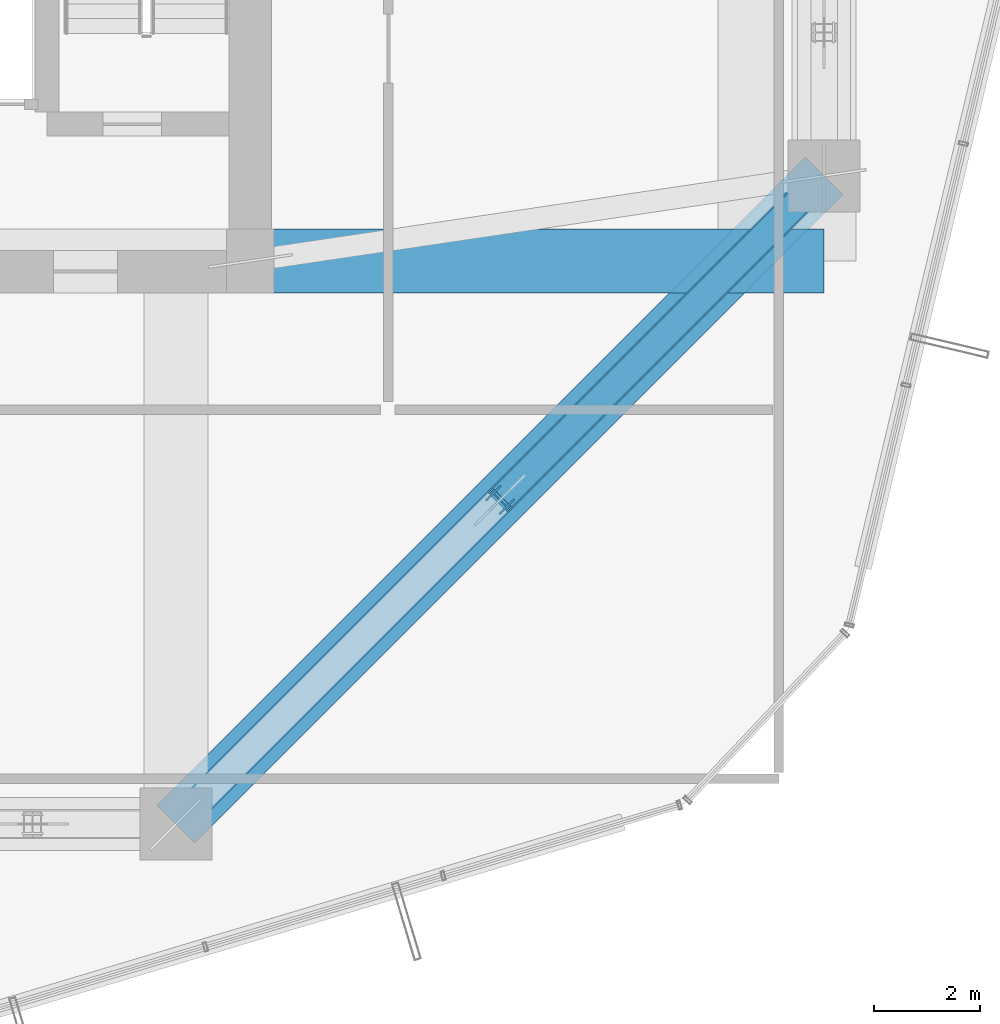
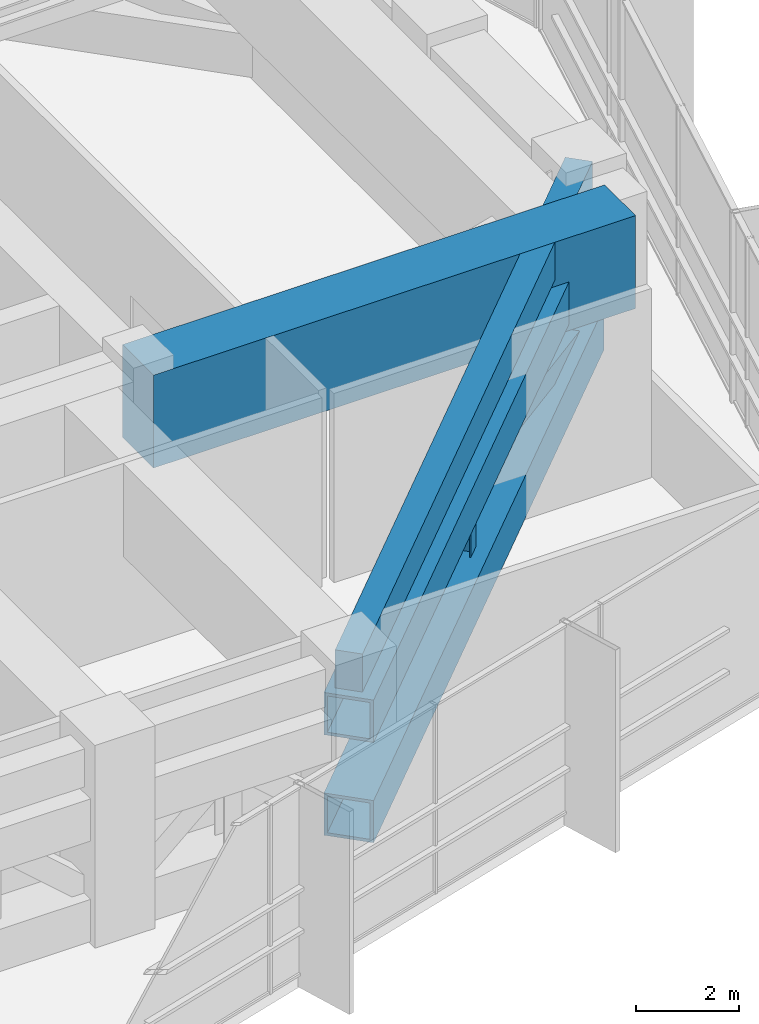
# One storey, part 15 of 41: 4 members, 2 beams.
"""IFC4 building model written with IfcOpenShell, lengths in metres."""

from ifc_helpers import new_model, si_unit, direction, frame, origin, origin_2d, place, context, subcontext, project, spatial, rectangle, hollow_rectangle, i_section, extrude, material, material_profile, profile_set, type_object, element, save


model = new_model("IFC4")

# Units and contexts
model_context = context("Model", 3, precision=1e-05, world=origin(), true_north=direction((0.0, 1.0)))
body_context = subcontext(model_context, "Body", "Model", "MODEL_VIEW")
ifc_project = project(units=[si_unit("LENGTHUNIT", "METRE"), si_unit("AREAUNIT", "SQUARE_METRE"), si_unit("VOLUMEUNIT", "CUBIC_METRE"), si_unit("PLANEANGLEUNIT", "RADIAN"), si_unit("MASSUNIT", "GRAM", prefix="KILO")], contexts=[model_context])

# Site, building, storey
site_placement = place(None, origin())
site = spatial("IfcSite", under=ifc_project, at=site_placement, CompositionType="ELEMENT")
building_placement = place(site_placement, origin())
building = spatial("IfcBuilding", under=site, at=building_placement, Name="Veraguas Prism Commons", CompositionType="ELEMENT")
storey_placement = place(building_placement, frame((0.0, 0.0, 80.35009765625)))
storey = spatial("IfcBuildingStorey", under=building, at=storey_placement, Name="L22", CompositionType="ELEMENT", Elevation=80.35009765625)

# Members
ifc_material_1 = material(Name="Steel ASTM A913 Grade 65", Category="steel")
ifc_material_profile_1 = material_profile(ifc_material_1, hollow_rectangle(XDim=1.0, YDim=1.0, WallThickness=0.070068359375, at=origin_2d()), Name="BOX1000X1000X70")
ifc_profile_set_1 = profile_set([ifc_material_profile_1], Name="Steel ASTM A913 Grade 65")
member_type_1 = type_object("IfcMemberType", Name="Belt Truss Chord L22 Box 1000x1000x70", PredefinedType="CHORD", material=ifc_profile_set_1)
for number, where, z_axis, x_axis, name in (
    (1, (29.39990234375, 6.39990234375, 0.5498046875), (0.707106781187, 0.707106781187, 0.0), (-0.707106781187, 0.707106781187, 0.0), "Perimeter Belt Truss Chord Bottom L22-12"),
    (2, (29.39990234375, 6.39990234375, 2.929931640625), (0.707106781187, 0.707106781187, 0.0), (-0.707106781187, 0.707106781187, 0.0), "Perimeter Belt Truss Chord Top L22-12"),
):
    element("IfcMember", number, at=place(storey_placement, frame(where, z_axis=z_axis, x_axis=x_axis)), inside=storey, type_object=member_type_1, Name=name, PredefinedType="CHORD", context=body_context, shape_type="SweptSolid", body=[
        extrude(hollow_rectangle(XDim=1.0, YDim=1.0, WallThickness=0.070068359375, at=origin_2d()), origin(), (0.0, 0.0, 1.0), 17.253662109375),
    ])
ifc_material_2 = material(Name="Steel ASTM A992 Grade 50", Category="steel")
ifc_material_profile_2 = material_profile(ifc_material_2, i_section(OverallWidth=0.39794921875, OverallDepth=0.386962890625, WebThickness=0.01904296875, FlangeThickness=0.0302734375, at=origin_2d()), Name="W360X262")
ifc_profile_set_2 = profile_set([ifc_material_profile_2], Name="Steel ASTM A992 Grade 50")
member_type_2 = type_object("IfcMemberType", Name="Belt Truss Vertical Strut W360x262", PredefinedType="STRUT", material=ifc_profile_set_2)
member_1_placement = place(storey_placement, frame((35.5, 12.5, 0.5498046875), z_axis=(0.0, 0.0, 1.0), x_axis=(0.707106781187, 0.707106781187, 0.0)))
element("IfcMember", 3, at=member_1_placement, inside=storey, type_object=member_type_2, Name="Perimeter Belt Truss Strut L22-12", PredefinedType="STRUT", context=body_context, shape_type="SweptSolid", body=[
    extrude(i_section(OverallWidth=0.39794921875, OverallDepth=0.386962890625, WebThickness=0.01904296875, FlangeThickness=0.0302734375, at=origin_2d()), origin(), (0.0, 0.0, 1.0), 2.380126953125),
])
ifc_material_3 = material(Name="Steel ASTM A572 Grade 50", Category="steel")
ifc_material_profile_3 = material_profile(ifc_material_3, hollow_rectangle(XDim=0.5, YDim=0.5, WallThickness=0.02490234375, at=origin_2d()), Name="BOX500X500X25")
ifc_profile_set_3 = profile_set([ifc_material_profile_3], Name="Steel ASTM A572 Grade 50")
member_type_3 = type_object("IfcMemberType", Name="Perimeter Belt Diagonal BOX 500x500x25", PredefinedType="BRACE", material=ifc_profile_set_3)
member_2_placement = place(storey_placement, frame((41.60009765625, 18.60009765625, 0.5498046875), z_axis=(-0.681639462261, -0.681639462261, 0.265961062898), x_axis=(0.707106781187, -0.707106781187, 0.0)))
element("IfcMember", 4, at=member_2_placement, inside=storey, type_object=member_type_3, Name="Perimeter Belt Truss Brace L22-12B", PredefinedType="BRACE", context=body_context, shape_type="SweptSolid", body=[
    extrude(hollow_rectangle(XDim=0.5, YDim=0.5, WallThickness=0.02490234375, at=origin_2d()), origin(), (0.0, 0.0, 1.0), 8.94921875),
])

# Beams
ifc_material_4 = material(Name="Concrete C50/60", Category="concrete")
ifc_material_profile_4 = material_profile(ifc_material_4, rectangle(XDim=0.550048828125, YDim=0.89990234375, at=origin_2d()), Name="RC550X900")
ifc_profile_set_4 = profile_set([ifc_material_profile_4], Name="Concrete C50/60")
beam_type_1 = type_object("IfcBeamType", Name="Perimeter Spandrel Lower RC 550x900", PredefinedType="SPANDREL", material=ifc_profile_set_4)
beam_1_placement = place(storey_placement, frame((29.39990234375, 6.39990234375, 4.02978515625), z_axis=(0.707106781187, 0.707106781187, 0.0), x_axis=(-0.707106781187, 0.707106781187, 0.0)))
element("IfcBeam", 5, at=beam_1_placement, inside=storey, type_object=beam_type_1, Name="Perimeter Spandrel Beam L22-SP12", PredefinedType="SPANDREL", context=body_context, shape_type="SweptSolid", body=[
    extrude(rectangle(XDim=0.550048828125, YDim=0.89990234375, at=origin_2d()), origin(), (0.0, 0.0, 1.0), 17.253662109375),
])
ifc_material_profile_5 = material_profile(ifc_material_4, rectangle(XDim=1.199951171875, YDim=2.199951171875, at=origin_2d()), Name="RC1200X2200")
ifc_profile_set_5 = profile_set([ifc_material_profile_5], Name="Concrete C50/60")
beam_type_2 = type_object("IfcBeamType", Name="Podium Transfer Girder RC 1200x2200", PredefinedType="BEAM", material=ifc_profile_set_5)
beam_2_placement = place(storey_placement, frame((41.60009765625, 17.0, 3.3798828125), z_axis=(-1.0, 0.0, 0.0), x_axis=(0.0, -1.0, 0.0)))
element("IfcBeam", 6, at=beam_2_placement, inside=storey, type_object=beam_type_2, Name="Outrigger Transfer Girder L22-XSE", PredefinedType="BEAM", context=body_context, shape_type="SweptSolid", body=[
    extrude(rectangle(XDim=1.199951171875, YDim=2.199951171875, at=origin_2d()), origin(), (0.0, 0.0, 1.0), 10.800048828125),
])

save(model, "model.ifc")
